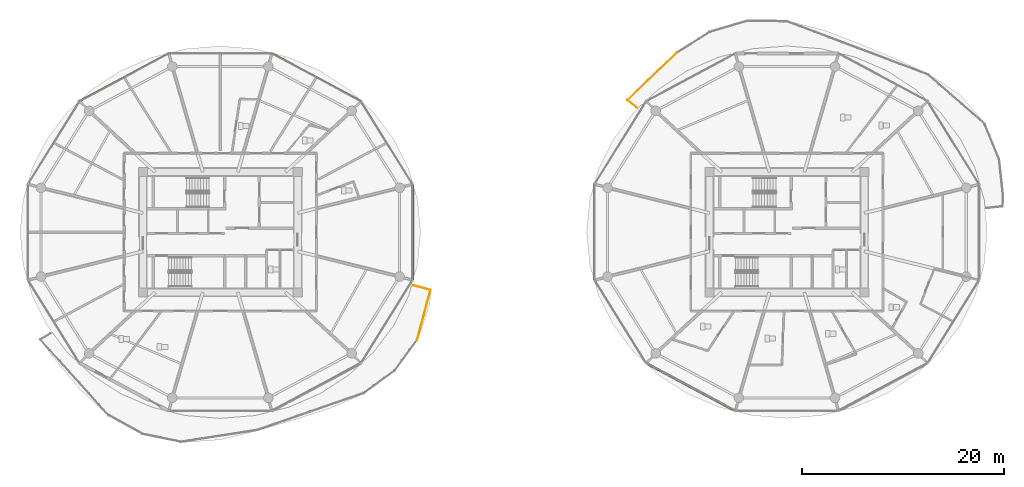
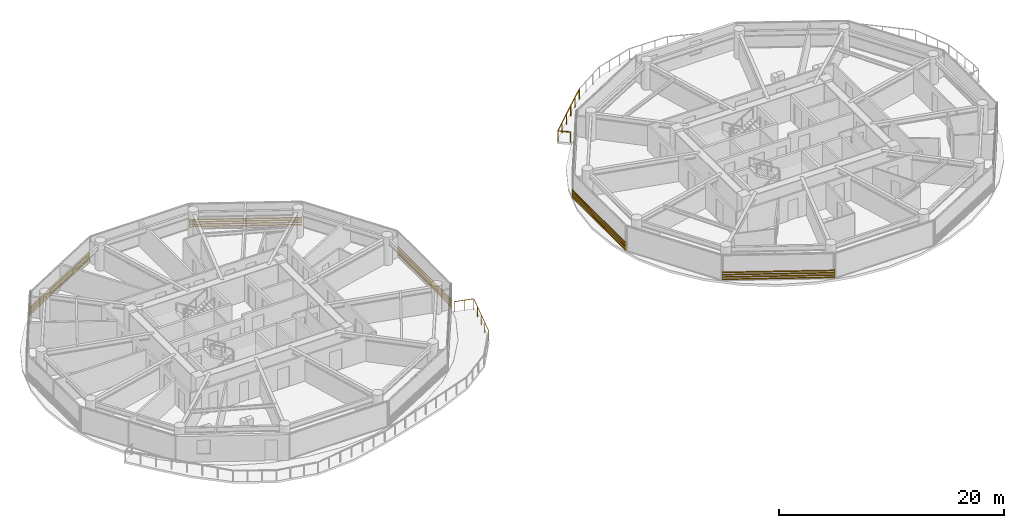
# One storey, part 24 of 27: 5 shading devices, 2 railings.
"""IFC4 building model written with IfcOpenShell, lengths in metres."""

from ifc_helpers import new_model, si_unit, direction, frame, origin, origin_2d, place, context, subcontext, project, spatial, rectangle, extrude, source, transform, mapped, material, type_object, type_shapes, element, save


model = new_model("IFC4")

# Units and contexts
model_context = context("Model", 3, precision=1e-05, world=origin(), true_north=direction((0.0, 1.0)))
body_context = subcontext(model_context, "Body", "Model", "MODEL_VIEW")
ifc_project = project(units=[si_unit("LENGTHUNIT", "METRE"), si_unit("AREAUNIT", "SQUARE_METRE"), si_unit("VOLUMEUNIT", "CUBIC_METRE"), si_unit("PLANEANGLEUNIT", "RADIAN"), si_unit("MASSUNIT", "GRAM", prefix="KILO")], contexts=[model_context])

# Site, building, storey
site_placement = place(None, origin())
site = spatial("IfcSite", under=ifc_project, at=site_placement, CompositionType="ELEMENT")
building_placement = place(site_placement, origin())
building = spatial("IfcBuilding", under=site, at=building_placement, Name="Norrkilde Senior Care Towers", CompositionType="ELEMENT")
storey_placement = place(building_placement, frame((0.0, 0.0, 52.10009765625)))
storey = spatial("IfcBuildingStorey", under=building, at=storey_placement, Name="L15", CompositionType="ELEMENT", Elevation=52.10009765625)

# Railings
ifc_material_1 = material(Name="Anodised Aluminium", Category="aluminium")
railing_type = type_object("IfcRailingType", Name="Balcony Swirl Ribbon Guardrail 1150", PredefinedType="GUARDRAIL", material=ifc_material_1)
railing_1_placement = place(storey_placement, frame((13.117919921875, 12.33837890625, 0.0)))
element("IfcRailing", 1, at=railing_1_placement, inside=storey, type_object=railing_type, Name="L15 Perimeter Safety Guard 02", PredefinedType="GUARDRAIL", context=body_context, shape_type="SweptSolid", body=[
    extrude(rectangle(XDim=0.048095703125, YDim=0.048095703125, at=origin_2d()), frame((0.0, 0.0, 1.1259765625), z_axis=(-0.772484290695, 0.635033873608, 0.0), x_axis=(-0.635033873608, -0.772484290695, 0.0)), (0.0, 0.0, 1.0), 1.090576171875),
    extrude(rectangle(XDim=0.048095703125, YDim=0.048095703125, at=origin_2d()), frame((-0.844482421875, 0.746826171875, 1.1259765625), z_axis=(0.722666880516, 0.691196484225, 0.0), x_axis=(-0.691196484225, 0.722666880516, 0.0)), (0.0, 0.0, 1.0), 6.739501953125),
    extrude(rectangle(XDim=0.0419921875, YDim=0.0419921875, at=origin_2d()), origin(), (0.0, 0.0, 1.0), 1.099853515625),
    extrude(rectangle(XDim=0.0419921875, YDim=0.0419921875, at=origin_2d()), frame((-0.8740234375, 0.718505859375, 0.0)), (0.0, 0.0, 1.0), 1.099853515625),
    extrude(rectangle(XDim=0.0419921875, YDim=0.0419921875, at=origin_2d()), frame((0.10595703125, 1.65576171875, 0.0)), (0.0, 0.0, 1.0), 1.099853515625),
    extrude(rectangle(XDim=0.0419921875, YDim=0.0419921875, at=origin_2d()), frame((1.0859375, 2.593017578125, 0.0)), (0.0, 0.0, 1.0), 1.099853515625),
    extrude(rectangle(XDim=0.0419921875, YDim=0.0419921875, at=origin_2d()), frame((2.06591796875, 3.530517578125, 0.0)), (0.0, 0.0, 1.0), 1.099853515625),
    extrude(rectangle(XDim=0.0419921875, YDim=0.0419921875, at=origin_2d()), frame((3.0458984375, 4.4677734375, 0.0)), (0.0, 0.0, 1.0), 1.099853515625),
    extrude(rectangle(XDim=0.0419921875, YDim=0.0419921875, at=origin_2d()), frame((4.02587890625, 5.405029296875, 0.0)), (0.0, 0.0, 1.0), 1.099853515625),
])
railing_2_placement = place(storey_placement, frame((-8.908935546875, -5.260009765625, 0.0)))
element("IfcRailing", 2, at=railing_2_placement, inside=storey, type_object=railing_type, Name="L15 Perimeter Safety Guard 04", PredefinedType="GUARDRAIL", context=body_context, shape_type="SweptSolid", body=[
    extrude(rectangle(XDim=0.048095703125, YDim=0.048095703125, at=origin_2d()), frame((0.0, 0.0, 1.1259765625), z_axis=(0.96511403015, -0.261829923436, 0.0), x_axis=(0.261829923436, 0.96511403015, 0.0)), (0.0, 0.0, 1.0), 1.70849609375),
    extrude(rectangle(XDim=0.048095703125, YDim=0.048095703125, at=origin_2d()), frame((1.677490234375, -0.49755859375, 1.1259765625), z_axis=(-0.260729250453, -0.965411962821, 0.0), x_axis=(0.965411962821, -0.260729250453, 0.0)), (0.0, 0.0, 1.0), 5.055908203125),
    extrude(rectangle(XDim=0.0419921875, YDim=0.0419921875, at=origin_2d()), origin(), (0.0, 0.0, 1.0), 1.099853515625),
    extrude(rectangle(XDim=0.0419921875, YDim=0.0419921875, at=origin_2d()), frame((0.84423828125, -0.22900390625, 0.0)), (0.0, 0.0, 1.0), 1.099853515625),
    extrude(rectangle(XDim=0.0419921875, YDim=0.0419921875, at=origin_2d()), frame((1.688232421875, -0.4580078125, 0.0)), (0.0, 0.0, 1.0), 1.099853515625),
    extrude(rectangle(XDim=0.0419921875, YDim=0.0419921875, at=origin_2d()), frame((1.35595703125, -1.68798828125, 0.0)), (0.0, 0.0, 1.0), 1.099853515625),
    extrude(rectangle(XDim=0.0419921875, YDim=0.0419921875, at=origin_2d()), frame((1.02392578125, -2.918212890625, 0.0)), (0.0, 0.0, 1.0), 1.099853515625),
    extrude(rectangle(XDim=0.0419921875, YDim=0.0419921875, at=origin_2d()), frame((0.691650390625, -4.1484375, 0.0)), (0.0, 0.0, 1.0), 1.099853515625),
    extrude(rectangle(XDim=0.0419921875, YDim=0.0419921875, at=origin_2d()), frame((0.359375, -5.37841796875, 0.0)), (0.0, 0.0, 1.0), 1.099853515625),
])

# Shading devices
ifc_material_2 = material(Name="Architectural Terracotta", Category="masonry")
shading_device_type = type_object("IfcShadingDeviceType", Name="Horizontal Terracotta Baguette Rack", PredefinedType="USERDEFINED", material=ifc_material_2)
shared_shape_1 = source(origin(), body_context, "Body", "SweptSolid", [
    extrude(rectangle(XDim=0.070068359375, YDim=0.110107421875, at=origin_2d()), frame((0.0, 0.090087890625, 0.125), z_axis=(1.0, 0.0, 0.0), x_axis=(0.0, 1.0, 0.0)), (0.0, 0.0, 1.0), 10.0107421875),
    extrude(rectangle(XDim=0.070068359375, YDim=0.110107421875, at=origin_2d()), frame((0.0, 0.090087890625, 0.375), z_axis=(1.0, 0.0, 0.0), x_axis=(0.0, 1.0, 0.0)), (0.0, 0.0, 1.0), 10.0107421875),
    extrude(rectangle(XDim=0.070068359375, YDim=0.110107421875, at=origin_2d()), frame((0.0, 0.090087890625, 0.625), z_axis=(1.0, 0.0, 0.0), x_axis=(0.0, 1.0, 0.0)), (0.0, 0.0, 1.0), 10.0107421875),
    extrude(rectangle(XDim=0.070068359375, YDim=0.110107421875, at=origin_2d()), frame((0.0, 0.090087890625, 0.875), z_axis=(1.0, 0.0, 0.0), x_axis=(0.0, 1.0, 0.0)), (0.0, 0.0, 1.0), 10.0107421875),
    extrude(rectangle(XDim=0.050048828125, YDim=0.1552734375, at=origin_2d()), frame((0.02490234375, 0.047607421875, 0.0)), (0.0, 0.0, 1.0), 1.0),
    extrude(rectangle(XDim=0.050048828125, YDim=0.1552734375, at=origin_2d()), frame((9.98583984375, 0.047607421875, 0.0)), (0.0, 0.0, 1.0), 1.0),
])
for number, where, z_axis, x_axis, name in (
    (3, (-22.906494140625, 17.6572265625, 0.079833984375), (0.0, 0.0, 1.0), (0.881279875134, -0.472612428056, 0.0), "L15 Drum W Terracotta Baguette Screen 01"),
    (4, (-41.915771484375, 12.926025390625, 0.079833984375), (0.0, 0.0, 1.0), (0.881279875134, 0.472612428056, 0.0), "L15 Drum W Terracotta Baguette Screen 03"),
    (5, (22.906494140625, -17.6572265625, 0.079833984375), (0.0, 0.0, 1.0), (-0.881279875134, 0.472612428056, 0.0), "L15 Drum E Terracotta Baguette Screen 07"),
):
    element("IfcShadingDevice", number, at=place(storey_placement, frame(where, z_axis=z_axis, x_axis=x_axis)), inside=storey, type_object=shading_device_type, Name=name, ObjectType="BAGUETTE", PredefinedType="USERDEFINED", context=body_context, shape_type="MappedRepresentation", body=[
        mapped(shared_shape_1, transform((0.0, 0.0, 0.0), x_axis=(1.0, 0.0, 0.0), y_axis=(0.0, 1.0, 0.0), z_axis=(0.0, 0.0, 1.0), scale=1.0)),
    ])
shared_shape_2 = source(origin(), body_context, "Body", "SweptSolid", [
    extrude(rectangle(XDim=0.070068359375, YDim=0.110107421875, at=origin_2d()), frame((0.0, 0.090087890625, 0.125), z_axis=(1.0, 0.0, 0.0), x_axis=(0.0, 1.0, 0.0)), (0.0, 0.0, 1.0), 9.46240234375),
    extrude(rectangle(XDim=0.070068359375, YDim=0.110107421875, at=origin_2d()), frame((0.0, 0.090087890625, 0.375), z_axis=(1.0, 0.0, 0.0), x_axis=(0.0, 1.0, 0.0)), (0.0, 0.0, 1.0), 9.46240234375),
    extrude(rectangle(XDim=0.070068359375, YDim=0.110107421875, at=origin_2d()), frame((0.0, 0.090087890625, 0.625), z_axis=(1.0, 0.0, 0.0), x_axis=(0.0, 1.0, 0.0)), (0.0, 0.0, 1.0), 9.46240234375),
    extrude(rectangle(XDim=0.070068359375, YDim=0.110107421875, at=origin_2d()), frame((0.0, 0.090087890625, 0.875), z_axis=(1.0, 0.0, 0.0), x_axis=(0.0, 1.0, 0.0)), (0.0, 0.0, 1.0), 9.46240234375),
    extrude(rectangle(XDim=0.050048828125, YDim=0.1552734375, at=origin_2d()), frame((0.02490234375, 0.047607421875, 0.0)), (0.0, 0.0, 1.0), 1.0),
    extrude(rectangle(XDim=0.050048828125, YDim=0.1552734375, at=origin_2d()), frame((9.4375, 0.047607421875, 0.0)), (0.0, 0.0, 1.0), 1.0),
])
type_shapes(shading_device_type, [shared_shape_1, shared_shape_2])
for number, where, z_axis, x_axis, name in (
    (6, (-8.990478515625, 4.731201171875, 0.079833984375), (0.0, 0.0, 1.0), (0.0, -1.0, 0.0), "L15 Drum W Terracotta Baguette Screen 11"),
    (7, (8.990478515625, -4.731201171875, 0.079833984375), (0.0, 0.0, 1.0), (0.0, 1.0, 0.0), "L15 Drum E Terracotta Baguette Screen 05"),
):
    element("IfcShadingDevice", number, at=place(storey_placement, frame(where, z_axis=z_axis, x_axis=x_axis)), inside=storey, type_object=shading_device_type, Name=name, ObjectType="BAGUETTE", PredefinedType="USERDEFINED", context=body_context, shape_type="MappedRepresentation", body=[
        mapped(shared_shape_2, transform((0.0, 0.0, 0.0), x_axis=(1.0, 0.0, 0.0), y_axis=(0.0, 1.0, 0.0), z_axis=(0.0, 0.0, 1.0), scale=1.0)),
    ])

save(model, "model.ifc")
